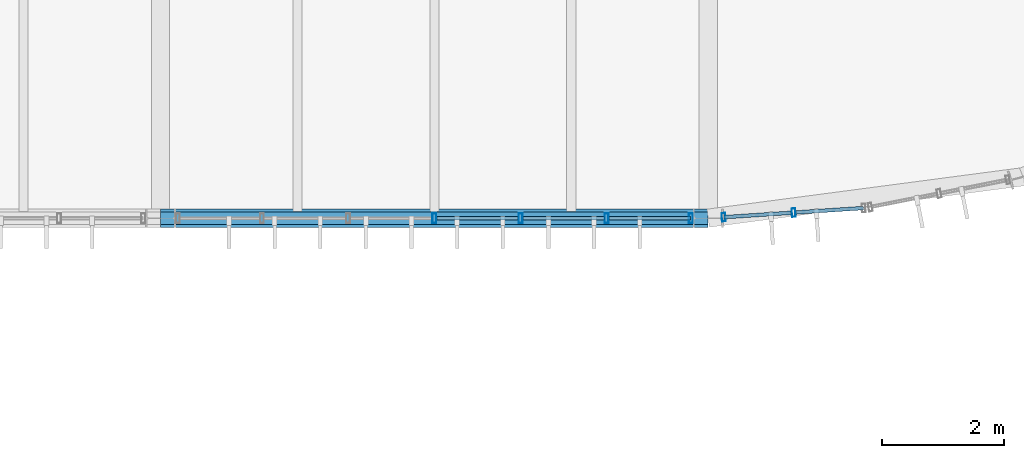
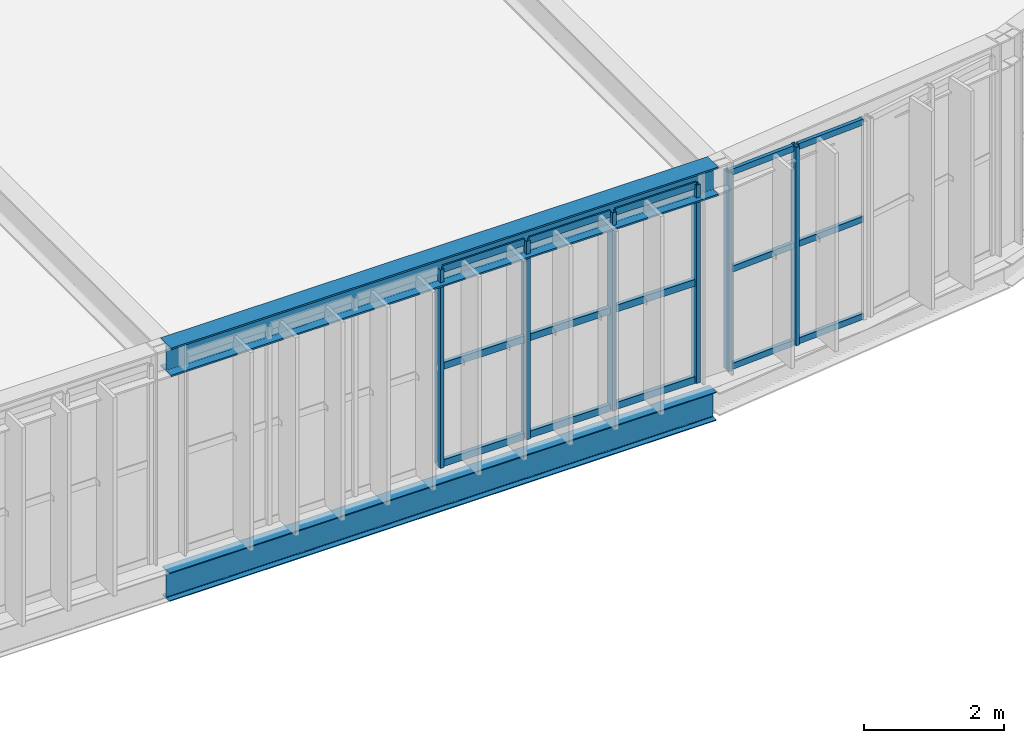
# One storey, part 41 of 152: 21 members, 2 beams, 2 elements without a shape of their own.
"""IFC4 building model written with IfcOpenShell, lengths in metres."""

import ifcopenshell
import ifcopenshell.guid

model = None  # the IFC model being written
_history = None  # IfcOwnerHistory: only IFC2X3 demands one
_inside = {}  # id of a spatial element -> (the spatial element, [elements in it])
_under = {}  # id of a project, library or spatial element -> (it, [spatial elements below it])
_declared = {}  # id of a project -> (the project, [libraries it declares])
_typed = {}  # id of a type object -> (the type object, [elements of that type])
_made_of = {}  # id of a material, layer set ... -> (it, [elements and type objects made of it])


def new_model(schema):
    """Start an empty IFC model of exactly this schema.

    Asked for "IFC4X3", IfcOpenShell would pick the latest addendum, in which some entities
    have other attributes; the version numbers below select the first issue.
    IFC2X3 requires an IfcOwnerHistory on every rooted entity: one is made here for all.
    """
    global model, _history
    if schema == "IFC4X3":
        model = ifcopenshell.file(schema_version=(4, 3, 0, 0))
    else:
        model = ifcopenshell.file(schema=schema)
    _inside.clear()
    _under.clear()
    _declared.clear()
    _typed.clear()
    _made_of.clear()
    _history = None
    if model.schema == "IFC2X3":
        org = make("IfcOrganization", Name="unknown")
        user = make(
            "IfcPersonAndOrganization",
            ThePerson=make("IfcPerson", FamilyName="unknown"),
            TheOrganization=org,
        )
        app = make(
            "IfcApplication",
            ApplicationDeveloper=org,
            Version="unknown",
            ApplicationFullName="unknown",
            ApplicationIdentifier="unknown",
        )
        _history = make(
            "IfcOwnerHistory",
            OwningUser=user,
            OwningApplication=app,
            ChangeAction="ADDED",
            CreationDate=0,
        )
    return model


def make(cls, **values):
    """One entity of the class cls with the attributes given. An attribute that is None is left unset."""
    return model.create_entity(
        cls, **{name: value for name, value in values.items() if value is not None}
    )


def rooted(cls, **values):
    """An entity with a GlobalId (a new one), such as an element, a storey or a relation."""
    return make(cls, GlobalId=ifcopenshell.guid.new(), OwnerHistory=_history, **values)


def si_unit(unit_type, name, prefix=None):
    """IfcSIUnit, for example si_unit("LENGTHUNIT", "METRE", prefix="MILLI")."""
    return make("IfcSIUnit", UnitType=unit_type, Prefix=prefix, Name=name)


def derived_unit(unit_type, elements):
    """IfcDerivedUnit: a product of units, each with its exponent."""
    return make(
        "IfcDerivedUnit",
        Elements=[
            make("IfcDerivedUnitElement", Unit=unit, Exponent=power)
            for unit, power in elements
        ],
        UnitType=unit_type,
    )


def assignment(units):
    """IfcUnitAssignment: the units of a project."""
    return None if units is None else make("IfcUnitAssignment", Units=units)


def point(xyz):
    """IfcCartesianPoint."""
    return None if xyz is None else make("IfcCartesianPoint", Coordinates=xyz)


def direction(xyz):
    """IfcDirection."""
    return None if xyz is None else make("IfcDirection", DirectionRatios=xyz)


def frame(location, z_axis=None, x_axis=None):
    """IfcAxis2Placement3D, a coordinate frame: its origin and axes. An axis left out is left unset."""
    return make(
        "IfcAxis2Placement3D",
        Location=point(location),
        Axis=direction(z_axis),
        RefDirection=direction(x_axis),
    )


def frame_2d(location, x_axis=None):
    """IfcAxis2Placement2D, a coordinate frame in the plane: its origin and x axis."""
    return make(
        "IfcAxis2Placement2D", Location=point(location), RefDirection=direction(x_axis)
    )


def origin():
    """The frame at (0, 0, 0) with its axes left unset."""
    return frame((0.0, 0.0, 0.0))


def origin_2d():
    """The frame at (0, 0) in the plane with its x axis left unset."""
    return frame_2d((0.0, 0.0))


def place(relative_to, where):
    """IfcLocalPlacement: puts the frame where relative to a parent placement (None: the world)."""
    return make(
        "IfcLocalPlacement", PlacementRelTo=relative_to, RelativePlacement=where
    )


def context(
    kind, dimensions, precision=None, world=None, true_north=None, identifier=None
):
    """IfcGeometricRepresentationContext, for example the 3D "Model" context."""
    return make(
        "IfcGeometricRepresentationContext",
        ContextIdentifier=identifier,
        ContextType=kind,
        CoordinateSpaceDimension=dimensions,
        Precision=precision,
        WorldCoordinateSystem=world,
        TrueNorth=true_north,
    )


def subcontext(parent, identifier, kind, view, scale=None):
    """IfcGeometricRepresentationSubContext, for example "Body" below "Model"."""
    return make(
        "IfcGeometricRepresentationSubContext",
        ContextIdentifier=identifier,
        ContextType=kind,
        ParentContext=parent,
        TargetScale=scale,
        TargetView=view,
    )


def project(units=None, contexts=None):
    """IfcProject with its units and contexts."""
    return rooted(
        "IfcProject",
        Name="project",
        RepresentationContexts=contexts,
        UnitsInContext=assignment(units),
    )


def spatial(cls, under=None, at=None, **own):
    """A site, building, storey or space (cls), placed at a placement, below another one or the project."""
    s = rooted(cls, ObjectPlacement=at, **own)
    if under is not None:
        _under.setdefault(under.id(), (under, []))[1].append(s)
    return s


def profile(cls, at=None, kind="AREA", **sizes):
    """A parametric profile (cls). Its sizes go by their IFC names, for example OverallWidth=200.0."""
    return make(cls, ProfileType=kind, Position=at, **sizes)


def hollow_rectangle(**sizes):
    """IfcRectangleHollowProfileDef."""
    return profile("IfcRectangleHollowProfileDef", **sizes)


def i_section(**sizes):
    """IfcIShapeProfileDef."""
    return profile("IfcIShapeProfileDef", **sizes)


def extrude(swept, where, along, depth):
    """IfcExtrudedAreaSolid: the profile swept, set in the frame where, extruded along a direction by depth."""
    return make(
        "IfcExtrudedAreaSolid",
        SweptArea=swept,
        Position=where,
        ExtrudedDirection=direction(along),
        Depth=depth,
    )


def shape(context_of_items, identifier, shape_type, items):
    """IfcShapeRepresentation: the items that make up one representation, for example the "Body"."""
    return make(
        "IfcShapeRepresentation",
        ContextOfItems=context_of_items,
        RepresentationIdentifier=identifier,
        RepresentationType=shape_type,
        Items=items,
    )


def material(Name=None, Category=None):
    """IfcMaterial."""
    return make("IfcMaterial", Name=Name, Category=Category)


def material_profile(
    of_material, cross_section, Name=None, Category=None, Priority=None
):
    """IfcMaterialProfile: a cross section and its material."""
    return make(
        "IfcMaterialProfile",
        Name=Name,
        Material=of_material,
        Profile=cross_section,
        Priority=Priority,
        Category=Category,
    )


def profile_set(profiles, Name=None, composite=None):
    """IfcMaterialProfileSet."""
    return make(
        "IfcMaterialProfileSet",
        Name=Name,
        MaterialProfiles=profiles,
        CompositeProfile=composite,
    )


def made_of(thing, what):
    """Note that an element or type object is made of a material, layer set ...; save() writes the relation."""
    if what is not None:
        _made_of.setdefault(what.id(), (what, []))[1].append(thing)
    return thing


def type_object(cls, material=None, **own):
    """A type object (cls), such as IfcWallType, which elements share."""
    return made_of(rooted(cls, **own), material)


def element(
    cls,
    number,
    at=None,
    inside=None,
    cuts=None,
    type_object=None,
    material=None,
    context=None,
    identifier="Body",
    shape_type=None,
    held_by="IfcProductDefinitionShape",
    body=None,
    shapes=None,
    **own,
):
    """One element of the class cls, such as IfcWall. Its Tag is "e" and its number.

    at: its placement. inside: the storey or other place that contains it. cuts: it is an
    opening in that element (IfcRelVoidsElement). A single representation is given by context,
    identifier, shape_type and body (its items); several are given by shapes. held_by: the class
    of the entity that holds the representations. save() writes the other relations.
    """
    e = rooted(cls, Tag="e%d" % number, ObjectPlacement=at, **own)
    if body is not None:
        shapes = [shape(context, identifier, shape_type, body)]
    if shapes is not None:
        e.Representation = make(held_by, Representations=shapes)
    if inside is not None:
        _inside.setdefault(inside.id(), (inside, []))[1].append(e)
    if cuts is not None:
        rooted(
            "IfcRelVoidsElement", RelatingBuildingElement=cuts, RelatedOpeningElement=e
        )
    if type_object is not None:
        _typed.setdefault(type_object.id(), (type_object, []))[1].append(e)
    return made_of(e, material)


def aggregate(whole, parts):
    """IfcRelAggregates: a whole, such as a stair, and the parts it consists of."""
    return rooted("IfcRelAggregates", RelatingObject=whole, RelatedObjects=parts)


def save(model, path):
    """Write the relations noted so far, then the file.

    IfcRelAggregates (storeys below a building ...), IfcRelContainedInSpatialStructure (elements
    in a storey), IfcRelDefinesByType, IfcRelAssociatesMaterial and IfcRelDeclares: one each for
    every whole, place, type object, material and project.
    """
    for whole, parts in _under.values():
        aggregate(whole, parts)
    for where, things in _inside.values():
        rooted(
            "IfcRelContainedInSpatialStructure",
            RelatedElements=things,
            RelatingStructure=where,
        )
    for kind, things in _typed.values():
        rooted("IfcRelDefinesByType", RelatedObjects=things, RelatingType=kind)
    for what, things in _made_of.values():
        rooted("IfcRelAssociatesMaterial", RelatedObjects=things, RelatingMaterial=what)
    for by, libraries in _declared.values():
        rooted("IfcRelDeclares", RelatingContext=by, RelatedDefinitions=libraries)
    model.write(path)


model = new_model("IFC4")

# Units and contexts
model_context = context("Model", 3, precision=1e-05, world=origin(), true_north=direction((0.0, 1.0)))
body_context = subcontext(model_context, "Body", "Model", "MODEL_VIEW")
ifc_project = project(units=[si_unit("LENGTHUNIT", "METRE"), si_unit("AREAUNIT", "SQUARE_METRE"), si_unit("VOLUMEUNIT", "CUBIC_METRE"), si_unit("PLANEANGLEUNIT", "RADIAN"), si_unit("MASSUNIT", "GRAM", prefix="KILO"), si_unit("THERMODYNAMICTEMPERATUREUNIT", "KELVIN"), si_unit("TIMEUNIT", "SECOND"), derived_unit("THERMALTRANSMITTANCEUNIT", [(si_unit("MASSUNIT", "GRAM", prefix="KILO"), 1), (si_unit("THERMODYNAMICTEMPERATUREUNIT", "KELVIN"), -1), (si_unit("TIMEUNIT", "SECOND"), -3)])], contexts=[model_context])

# Site, building, storey
site_placement = place(None, origin())
site = spatial("IfcSite", under=ifc_project, at=site_placement, CompositionType="ELEMENT")
building_placement = place(site_placement, origin())
building = spatial("IfcBuilding", under=site, at=building_placement, Name="Cambertide Market Hall", CompositionType="ELEMENT")
storey_placement = place(building_placement, frame((0.0, 0.0, 5.39990234375)))
storey = spatial("IfcBuildingStorey", under=building, at=storey_placement, Name="L02", CompositionType="ELEMENT", Elevation=5.39990234375)

# Curtain wall, members
ifc_material_1 = material(Name="Marine Anodized Aluminium 6063-T6 AA25", Category="aluminium")
curtain_wall_type_1 = type_object("IfcCurtainWallType", Name="Lantern Apse Chord Upper Curtain Wall", PredefinedType="USERDEFINED", material=ifc_material_1)
curtain_wall_1_placement = place(storey_placement, origin())
curtain_wall_1 = element("IfcCurtainWall", 1, at=curtain_wall_1_placement, inside=storey, type_object=curtain_wall_type_1, Name="Level 2 Curtain Wall CW-V1AE-L02-01", ObjectType="UNITIZED CURTAIN WALL", PredefinedType="USERDEFINED")
ifc_material_2 = material(Name="Champagne Marine Anodized Aluminium 6063-T6 AA25", Category="aluminium")
ifc_material_profile_1 = material_profile(ifc_material_2, hollow_rectangle(XDim=0.06005859375, YDim=0.139892578125, WallThickness=0.00341796875, at=origin_2d()), Name="ALU MULLION 60x140")
ifc_profile_set_1 = profile_set([ifc_material_profile_1], Name="Champagne Marine Anodized Aluminium 6063-T6 AA25")
member_type_1 = type_object("IfcMemberType", Name="Curtain Wall Mullion ALU MULLION 60x140", PredefinedType="MULLION", material=ifc_profile_set_1)
member_1_placement = place(storey_placement, frame((106.405029296875, 52.092041015625, 0.0), z_axis=(0.0, 0.0, 1.0), x_axis=(-0.997858917819, -0.065403211921, 0.0)))
member_1 = element("IfcMember", 2, at=member_1_placement, type_object=member_type_1, Name="CW-V1AE-L02-01 Mullion 2", PredefinedType="MULLION", context=body_context, shape_type="SweptSolid", body=[
    extrude(hollow_rectangle(XDim=0.06005859375, YDim=0.139892578125, WallThickness=0.00341796875, at=origin_2d()), origin(), (0.0, 0.0, 1.0), 3.4501953125),
])
member_2_placement = place(storey_placement, frame((105.25439453125, 52.0166015625, 0.0), z_axis=(0.0, 0.0, 1.0), x_axis=(-0.997858917819, -0.065403211921, 0.0)))
member_2 = element("IfcMember", 3, at=member_2_placement, type_object=member_type_1, Name="CW-V1AE-L02-01 Mullion 3", PredefinedType="MULLION", context=body_context, shape_type="SweptSolid", body=[
    extrude(hollow_rectangle(XDim=0.06005859375, YDim=0.139892578125, WallThickness=0.00341796875, at=origin_2d()), origin(), (0.0, 0.0, 1.0), 3.4501953125),
])

ifc_material_3 = material(Name="Marine Anodized Aluminium 6063-T6 AA25", Category="aluminium")
curtain_wall_type_2 = type_object("IfcCurtainWallType", Name="Lantern Straight Upper Curtain Wall", PredefinedType="USERDEFINED", material=ifc_material_3)
curtain_wall_2_placement = place(storey_placement, origin())
curtain_wall_2 = element("IfcCurtainWall", 4, at=curtain_wall_2_placement, inside=storey, type_object=curtain_wall_type_2, Name="Level 2 Curtain Wall CW-V1S-L02-7", ObjectType="UNITIZED CURTAIN WALL", PredefinedType="USERDEFINED")
ifc_material_4 = material(Name="Champagne Marine Anodized Aluminium 6063-T6 AA25", Category="aluminium")
ifc_material_profile_2 = material_profile(ifc_material_4, hollow_rectangle(XDim=0.06494140625, YDim=0.159912109375, WallThickness=0.00341796875, at=origin_2d()), Name="ALU MULLION 65x160")
ifc_profile_set_2 = profile_set([ifc_material_profile_2], Name="Champagne Marine Anodized Aluminium 6063-T6 AA25")
member_type_2 = type_object("IfcMemberType", Name="Curtain Wall Mullion ALU MULLION 65x160", PredefinedType="MULLION", material=ifc_profile_set_2)
member_3_placement = place(storey_placement, frame((104.715087890625, 52.0, 0.0), z_axis=(0.0, 0.0, 1.0), x_axis=(-1.0, 0.0, 0.0)))
member_3 = element("IfcMember", 5, at=member_3_placement, type_object=member_type_2, Name="CW-V1S-L02-7 Mullion 1", PredefinedType="MULLION", context=body_context, shape_type="SweptSolid", body=[
    extrude(hollow_rectangle(XDim=0.06494140625, YDim=0.159912109375, WallThickness=0.00341796875, at=origin_2d()), origin(), (0.0, 0.0, 1.0), 3.4501953125),
])
member_4_placement = place(storey_placement, frame((103.333251953125, 52.0, 0.0), z_axis=(0.0, 0.0, 1.0), x_axis=(-1.0, 0.0, 0.0)))
member_4 = element("IfcMember", 6, at=member_4_placement, type_object=member_type_2, Name="CW-V1S-L02-7 Mullion 2", PredefinedType="MULLION", context=body_context, shape_type="SweptSolid", body=[
    extrude(hollow_rectangle(XDim=0.06494140625, YDim=0.159912109375, WallThickness=0.00341796875, at=origin_2d()), origin(), (0.0, 0.0, 1.0), 3.4501953125),
])
member_5_placement = place(storey_placement, frame((101.916748046875, 52.0, 0.0), z_axis=(0.0, 0.0, 1.0), x_axis=(-1.0, 0.0, 0.0)))
member_5 = element("IfcMember", 7, at=member_5_placement, type_object=member_type_2, Name="CW-V1S-L02-7 Mullion 3", PredefinedType="MULLION", context=body_context, shape_type="SweptSolid", body=[
    extrude(hollow_rectangle(XDim=0.06494140625, YDim=0.159912109375, WallThickness=0.00341796875, at=origin_2d()), origin(), (0.0, 0.0, 1.0), 3.4501953125),
])
member_6_placement = place(storey_placement, frame((100.5, 52.0, 0.0), z_axis=(0.0, 0.0, 1.0), x_axis=(-1.0, 0.0, 0.0)))
member_6 = element("IfcMember", 8, at=member_6_placement, type_object=member_type_2, Name="CW-V1S-L02-7 Mullion 4", PredefinedType="MULLION", context=body_context, shape_type="SweptSolid", body=[
    extrude(hollow_rectangle(XDim=0.06494140625, YDim=0.159912109375, WallThickness=0.00341796875, at=origin_2d()), origin(), (0.0, 0.0, 1.0), 3.4501953125),
])

# Member
ifc_material_5 = material(Name="Champagne Marine Anodized Aluminium 6063-T6 AA25", Category="aluminium")
ifc_material_profile_3 = material_profile(ifc_material_5, hollow_rectangle(XDim=0.06005859375, YDim=0.10498046875, WallThickness=0.0029296875, at=origin_2d()), Name="ALU TRANSOM 60x105")
ifc_profile_set_3 = profile_set([ifc_material_profile_3], Name="Champagne Marine Anodized Aluminium 6063-T6 AA25")
member_type_3 = type_object("IfcMemberType", Name="Curtain Wall Transom ALU TRANSOM 60x105", PredefinedType="USERDEFINED", material=ifc_profile_set_3)
member_7_placement = place(storey_placement, frame((107.550537109375, 52.167236328125, 0.03515625), z_axis=(-0.997855769469, -0.065451228695, 0.0), x_axis=(0.065451228695, -0.997855769469, 0.0)))
member_7 = element("IfcMember", 9, at=member_7_placement, type_object=member_type_3, Name="CW-V1AE-L02-01 Transom 1-1", ObjectType="TRANSOM", PredefinedType="USERDEFINED", context=body_context, shape_type="SweptSolid", body=[
    extrude(hollow_rectangle(XDim=0.06005859375, YDim=0.10498046875, WallThickness=0.0029296875, at=origin_2d()), origin(), (0.0, 0.0, 1.0), 1.10791015625),
])

member_8_placement = place(storey_placement, frame((106.365234375, 52.08935546875, 0.03515625), z_axis=(-0.997871075842, -0.065217451634, 0.0), x_axis=(0.065217451634, -0.997871075842, 0.0)))
member_8 = element("IfcMember", 10, at=member_8_placement, type_object=member_type_3, Name="CW-V1AE-L02-01 Transom 1-2", ObjectType="TRANSOM", PredefinedType="USERDEFINED", context=body_context, shape_type="SweptSolid", body=[
    extrude(hollow_rectangle(XDim=0.06005859375, YDim=0.10498046875, WallThickness=0.0029296875, at=origin_2d()), origin(), (0.0, 0.0, 1.0), 1.108154296875),
])

member_9_placement = place(storey_placement, frame((107.550537109375, 52.167236328125, 1.72509765625), z_axis=(-0.997855769469, -0.065451228695, 0.0), x_axis=(0.065451228695, -0.997855769469, 0.0)))
member_9 = element("IfcMember", 11, at=member_9_placement, type_object=member_type_3, Name="CW-V1AE-L02-01 Transom 2-1", ObjectType="TRANSOM", PredefinedType="USERDEFINED", context=body_context, shape_type="SweptSolid", body=[
    extrude(hollow_rectangle(XDim=0.06005859375, YDim=0.10498046875, WallThickness=0.0029296875, at=origin_2d()), origin(), (0.0, 0.0, 1.0), 1.10791015625),
])

member_10_placement = place(storey_placement, frame((106.365234375, 52.08935546875, 1.72509765625), z_axis=(-0.997871075842, -0.065217451634, 0.0), x_axis=(0.065217451634, -0.997871075842, 0.0)))
member_10 = element("IfcMember", 12, at=member_10_placement, type_object=member_type_3, Name="CW-V1AE-L02-01 Transom 2-2", ObjectType="TRANSOM", PredefinedType="USERDEFINED", context=body_context, shape_type="SweptSolid", body=[
    extrude(hollow_rectangle(XDim=0.06005859375, YDim=0.10498046875, WallThickness=0.0029296875, at=origin_2d()), origin(), (0.0, 0.0, 1.0), 1.108154296875),
])

member_11_placement = place(storey_placement, frame((107.550537109375, 52.167236328125, 3.4150390625), z_axis=(-0.997855769469, -0.065451228695, 0.0), x_axis=(0.065451228695, -0.997855769469, 0.0)))
member_11 = element("IfcMember", 13, at=member_11_placement, type_object=member_type_3, Name="CW-V1AE-L02-01 Transom 3-1", ObjectType="TRANSOM", PredefinedType="USERDEFINED", context=body_context, shape_type="SweptSolid", body=[
    extrude(hollow_rectangle(XDim=0.06005859375, YDim=0.10498046875, WallThickness=0.0029296875, at=origin_2d()), origin(), (0.0, 0.0, 1.0), 1.10791015625),
])

member_12_placement = place(storey_placement, frame((106.365234375, 52.08935546875, 3.4150390625), z_axis=(-0.997871075842, -0.065217451634, 0.0), x_axis=(0.065217451634, -0.997871075842, 0.0)))
member_12 = element("IfcMember", 14, at=member_12_placement, type_object=member_type_3, Name="CW-V1AE-L02-01 Transom 3-2", ObjectType="TRANSOM", PredefinedType="USERDEFINED", context=body_context, shape_type="SweptSolid", body=[
    extrude(hollow_rectangle(XDim=0.06005859375, YDim=0.10498046875, WallThickness=0.0029296875, at=origin_2d()), origin(), (0.0, 0.0, 1.0), 1.108154296875),
])

aggregate(curtain_wall_1, [member_1, member_2, member_7, member_8, member_9, member_10, member_11, member_12])

ifc_material_6 = material(Name="Champagne Marine Anodized Aluminium 6063-T6 AA25", Category="aluminium")
ifc_material_profile_4 = material_profile(ifc_material_6, hollow_rectangle(XDim=0.06494140625, YDim=0.1201171875, WallThickness=0.003173828125, at=origin_2d()), Name="ALU TRANSOM 65x120")
ifc_profile_set_4 = profile_set([ifc_material_profile_4], Name="Champagne Marine Anodized Aluminium 6063-T6 AA25")
member_type_4 = type_object("IfcMemberType", Name="Curtain Wall Transom ALU TRANSOM 65x120", PredefinedType="USERDEFINED", material=ifc_profile_set_4)
member_13_placement = place(storey_placement, frame((104.7099609375, 52.0, 0.03515625), z_axis=(-1.0, 0.0, 0.0), x_axis=(0.0, -1.0, 0.0)))
member_13 = element("IfcMember", 15, at=member_13_placement, type_object=member_type_4, Name="CW-V1S-L02-7 Transom 1-1", ObjectType="TRANSOM", PredefinedType="USERDEFINED", context=body_context, shape_type="SweptSolid", body=[
    extrude(hollow_rectangle(XDim=0.06494140625, YDim=0.1201171875, WallThickness=0.003173828125, at=origin_2d()), origin(), (0.0, 0.0, 1.0), 1.336669921875),
])

member_14_placement = place(storey_placement, frame((103.293212890625, 52.0, 0.03515625), z_axis=(-1.0, 0.0, 0.0), x_axis=(0.0, -1.0, 0.0)))
member_14 = element("IfcMember", 16, at=member_14_placement, type_object=member_type_4, Name="CW-V1S-L02-7 Transom 1-2", ObjectType="TRANSOM", PredefinedType="USERDEFINED", context=body_context, shape_type="SweptSolid", body=[
    extrude(hollow_rectangle(XDim=0.06494140625, YDim=0.1201171875, WallThickness=0.003173828125, at=origin_2d()), origin(), (0.0, 0.0, 1.0), 1.33642578125),
])

member_15_placement = place(storey_placement, frame((101.876708984375, 52.0, 0.03515625), z_axis=(-1.0, 0.0, 0.0), x_axis=(0.0, -1.0, 0.0)))
member_15 = element("IfcMember", 17, at=member_15_placement, type_object=member_type_4, Name="CW-V1S-L02-7 Transom 1-3", ObjectType="TRANSOM", PredefinedType="USERDEFINED", context=body_context, shape_type="SweptSolid", body=[
    extrude(hollow_rectangle(XDim=0.06494140625, YDim=0.1201171875, WallThickness=0.003173828125, at=origin_2d()), origin(), (0.0, 0.0, 1.0), 1.336669921875),
])

member_16_placement = place(storey_placement, frame((104.7099609375, 52.0, 1.72509765625), z_axis=(-1.0, 0.0, 0.0), x_axis=(0.0, -1.0, 0.0)))
member_16 = element("IfcMember", 18, at=member_16_placement, type_object=member_type_4, Name="CW-V1S-L02-7 Transom 2-1", ObjectType="TRANSOM", PredefinedType="USERDEFINED", context=body_context, shape_type="SweptSolid", body=[
    extrude(hollow_rectangle(XDim=0.06494140625, YDim=0.1201171875, WallThickness=0.003173828125, at=origin_2d()), origin(), (0.0, 0.0, 1.0), 1.336669921875),
])

member_17_placement = place(storey_placement, frame((103.293212890625, 52.0, 1.72509765625), z_axis=(-1.0, 0.0, 0.0), x_axis=(0.0, -1.0, 0.0)))
member_17 = element("IfcMember", 19, at=member_17_placement, type_object=member_type_4, Name="CW-V1S-L02-7 Transom 2-2", ObjectType="TRANSOM", PredefinedType="USERDEFINED", context=body_context, shape_type="SweptSolid", body=[
    extrude(hollow_rectangle(XDim=0.06494140625, YDim=0.1201171875, WallThickness=0.003173828125, at=origin_2d()), origin(), (0.0, 0.0, 1.0), 1.33642578125),
])

member_18_placement = place(storey_placement, frame((101.876708984375, 52.0, 1.72509765625), z_axis=(-1.0, 0.0, 0.0), x_axis=(0.0, -1.0, 0.0)))
member_18 = element("IfcMember", 20, at=member_18_placement, type_object=member_type_4, Name="CW-V1S-L02-7 Transom 2-3", ObjectType="TRANSOM", PredefinedType="USERDEFINED", context=body_context, shape_type="SweptSolid", body=[
    extrude(hollow_rectangle(XDim=0.06494140625, YDim=0.1201171875, WallThickness=0.003173828125, at=origin_2d()), origin(), (0.0, 0.0, 1.0), 1.336669921875),
])

member_19_placement = place(storey_placement, frame((104.7099609375, 52.0, 3.4150390625), z_axis=(-1.0, 0.0, 0.0), x_axis=(0.0, -1.0, 0.0)))
member_19 = element("IfcMember", 21, at=member_19_placement, type_object=member_type_4, Name="CW-V1S-L02-7 Transom 3-1", ObjectType="TRANSOM", PredefinedType="USERDEFINED", context=body_context, shape_type="SweptSolid", body=[
    extrude(hollow_rectangle(XDim=0.06494140625, YDim=0.1201171875, WallThickness=0.003173828125, at=origin_2d()), origin(), (0.0, 0.0, 1.0), 1.336669921875),
])

member_20_placement = place(storey_placement, frame((103.293212890625, 52.0, 3.4150390625), z_axis=(-1.0, 0.0, 0.0), x_axis=(0.0, -1.0, 0.0)))
member_20 = element("IfcMember", 22, at=member_20_placement, type_object=member_type_4, Name="CW-V1S-L02-7 Transom 3-2", ObjectType="TRANSOM", PredefinedType="USERDEFINED", context=body_context, shape_type="SweptSolid", body=[
    extrude(hollow_rectangle(XDim=0.06494140625, YDim=0.1201171875, WallThickness=0.003173828125, at=origin_2d()), origin(), (0.0, 0.0, 1.0), 1.33642578125),
])

member_21_placement = place(storey_placement, frame((101.876708984375, 52.0, 3.4150390625), z_axis=(-1.0, 0.0, 0.0), x_axis=(0.0, -1.0, 0.0)))
member_21 = element("IfcMember", 23, at=member_21_placement, type_object=member_type_4, Name="CW-V1S-L02-7 Transom 3-3", ObjectType="TRANSOM", PredefinedType="USERDEFINED", context=body_context, shape_type="SweptSolid", body=[
    extrude(hollow_rectangle(XDim=0.06494140625, YDim=0.1201171875, WallThickness=0.003173828125, at=origin_2d()), origin(), (0.0, 0.0, 1.0), 1.336669921875),
])

aggregate(curtain_wall_2, [member_3, member_4, member_5, member_6, member_13, member_14, member_15, member_16, member_17, member_18, member_19, member_20, member_21])

# Beams
ifc_material_7 = material(Name="Steel S355", Category="steel")
ifc_material_profile_5 = material_profile(ifc_material_7, i_section(OverallWidth=0.300048828125, OverallDepth=0.5, WebThickness=0.014404296875, FlangeThickness=0.028076171875, FilletRadius=0.027099609375, at=origin_2d()), Name="HEB 500")
ifc_profile_set_5 = profile_set([ifc_material_profile_5], Name="Steel S355")
beam_type_1 = type_object("IfcBeamType", Name="Exterior Steel Girder HEB 500", PredefinedType="BEAM", material=ifc_profile_set_5)
beam_1_placement = place(storey_placement, frame((96.0, 52.0, 3.4501953125), z_axis=(1.0, 0.0, 0.0), x_axis=(0.0, 1.0, 0.0)))
element("IfcBeam", 24, at=beam_1_placement, inside=storey, type_object=beam_type_1, Name="Level 2 Beam EAVE-V1S-7", PredefinedType="BEAM", context=body_context, shape_type="SweptSolid", body=[
    extrude(i_section(OverallWidth=0.300048828125, OverallDepth=0.5, WebThickness=0.014404296875, FlangeThickness=0.028076171875, FilletRadius=0.027099609375, at=origin_2d()), origin(), (0.0, 0.0, 1.0), 9.0),
])
ifc_material_8 = material(Name="Steel S355", Category="steel")
ifc_material_profile_6 = material_profile(ifc_material_8, i_section(OverallWidth=0.199951171875, OverallDepth=0.5, WebThickness=0.01025390625, FlangeThickness=0.01611328125, FilletRadius=0.02099609375, at=origin_2d()), Name="IPE 500")
ifc_profile_set_6 = profile_set([ifc_material_profile_6], Name="Steel S355")
beam_type_2 = type_object("IfcBeamType", Name="Perimeter Spandrel Beam IPE 500", PredefinedType="SPANDREL", material=ifc_profile_set_6)
beam_2_placement = place(storey_placement, frame((96.0, 52.0, -0.489990234375), z_axis=(1.0, 0.0, 0.0), x_axis=(0.0, 1.0, 0.0)))
element("IfcBeam", 25, at=beam_2_placement, inside=storey, type_object=beam_type_2, Name="Level 2 Spandrel BM-V1S-L02-7", PredefinedType="SPANDREL", context=body_context, shape_type="SweptSolid", body=[
    extrude(i_section(OverallWidth=0.199951171875, OverallDepth=0.5, WebThickness=0.01025390625, FlangeThickness=0.01611328125, FilletRadius=0.02099609375, at=origin_2d()), origin(), (0.0, 0.0, 1.0), 9.0),
])

save(model, "model.ifc")
